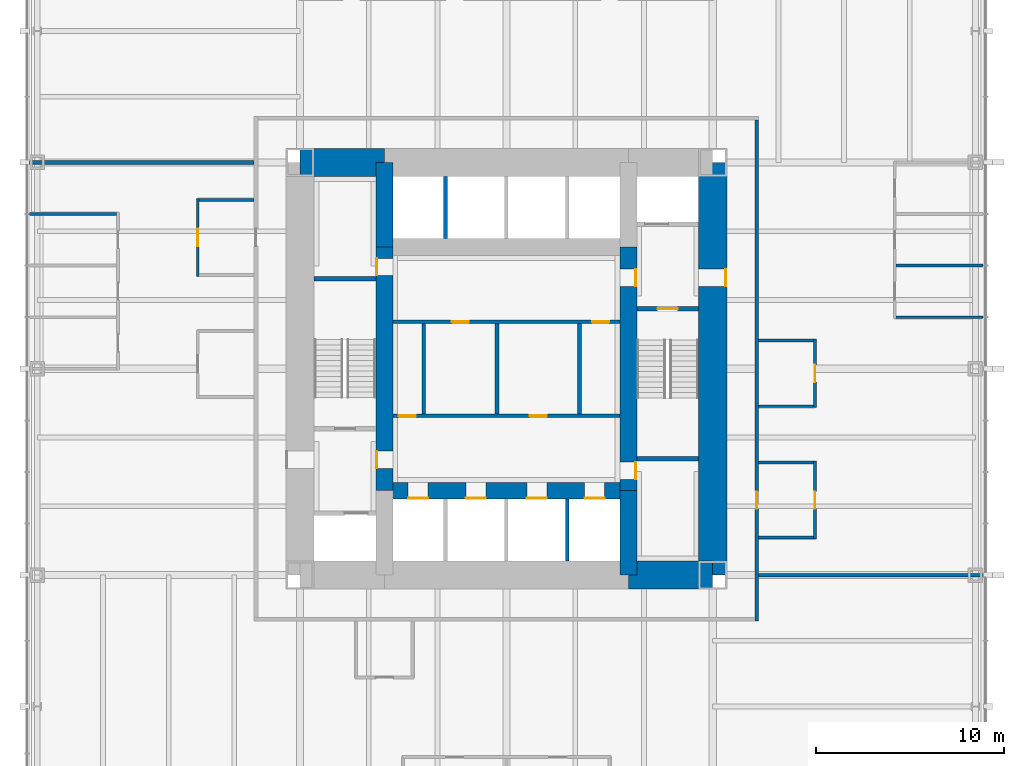
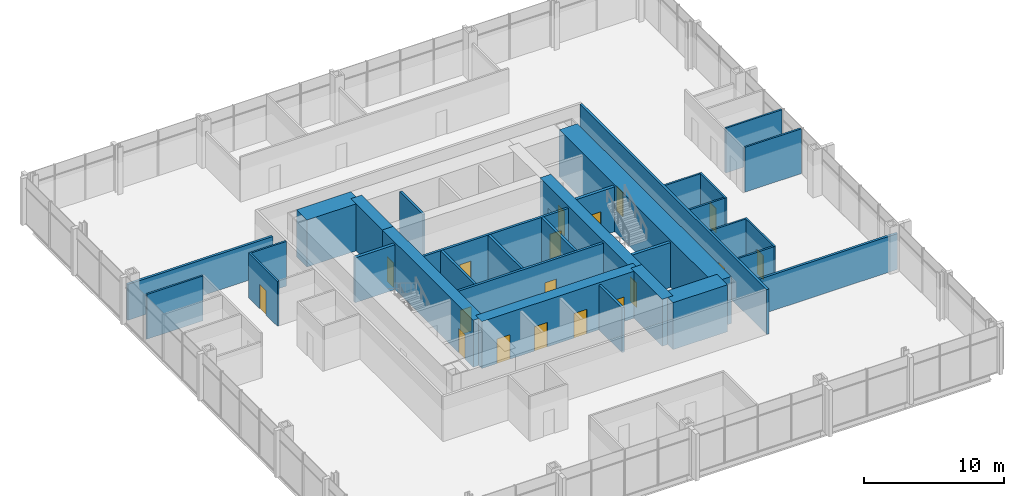
# One storey, part 10 of 12: 32 walls, 18 doors, 18 openings.
"""IFC4 building model written with IfcOpenShell, lengths in metres."""

from ifc_helpers import new_model, si_unit, direction, frame, frame_2d, origin, place, context, subcontext, project, spatial, rectangle, extrude, material, layer, layer_set, type_object, element, fill, save


model = new_model("IFC4")

# Units and contexts
model_context = context("Model", 3, precision=1e-05, world=origin(), true_north=direction((0.0, 1.0)))
body_context = subcontext(model_context, "Body", "Model", "MODEL_VIEW")
ifc_project = project(units=[si_unit("LENGTHUNIT", "METRE"), si_unit("AREAUNIT", "SQUARE_METRE"), si_unit("VOLUMEUNIT", "CUBIC_METRE"), si_unit("PLANEANGLEUNIT", "RADIAN"), si_unit("MASSUNIT", "GRAM", prefix="KILO")], contexts=[model_context])

# Site, building, storey
site_placement = place(None, origin())
site = spatial("IfcSite", under=ifc_project, at=site_placement, CompositionType="ELEMENT")
building_placement = place(site_placement, origin())
building = spatial("IfcBuilding", under=site, at=building_placement, Name="Trevanion Tower", CompositionType="ELEMENT")
storey_placement = place(building_placement, frame((0.0, 0.0, 61.10009765625)))
storey = spatial("IfcBuildingStorey", under=building, at=storey_placement, Name="L14", CompositionType="ELEMENT", Elevation=61.10009765625)

# Wall, opening, door
ifc_material_1 = material(Name="Concrete 10,000 psi", Category="concrete")
ifc_layer_1 = layer(ifc_material_1, 1.5)
ifc_layer_set_1 = layer_set([ifc_layer_1], Name="CW1 core wall 1500")
wall_type_1 = type_object("IfcWallType", Name="CW1 core wall 1500", PredefinedType="SHEAR", material=ifc_layer_set_1)
wall_1_placement = place(storey_placement, frame((11.0, -11.0, 0.0), z_axis=(0.0, 0.0, 1.0), x_axis=(0.0, 1.0, 0.0)))
wall_1 = element("IfcWall", 1, at=wall_1_placement, inside=storey, type_object=wall_type_1, Name="CW1 CE L14", PredefinedType="SHEAR", context=body_context, shape_type="SweptSolid", body=[
    extrude(rectangle(XDim=22.0, YDim=1.5, at=frame_2d((11.0, 0.0))), origin(), (0.0, 0.0, 1.0), 4.099853515625),
])
opening_1_placement = place(wall_1_placement, frame((15.392578125, 0.0, 0.0)))
opening_1 = element("IfcOpeningElement", 2, at=opening_1_placement, cuts=wall_1, Name="Opening 14-001", PredefinedType="OPENING", context=body_context, shape_type="SweptSolid", body=[
    extrude(rectangle(XDim=0.9150390625, YDim=2.134033203125, at=frame_2d((0.45751953125, 1.06689453125))), frame((0.0, 0.760009765625, 0.0), z_axis=(0.0, -1.0, 0.0), x_axis=(1.0, 0.0, 0.0)), (0.0, 0.0, 1.0), 1.52001953125),
])
ifc_material_2 = material(Name="Hollow metal, fire rated", Category="steel")
door_type_1 = type_object("IfcDoorType", Name="D3 fire lift lobby door", OperationType="SINGLE_SWING_RIGHT", PredefinedType="DOOR", material=ifc_material_2)
door_1_placement = place(opening_1_placement, origin())
door_1 = element("IfcDoor", 3, at=door_1_placement, inside=storey, type_object=door_type_1, Name="Door 14-001", OperationType="SINGLE_SWING_RIGHT", OverallHeight=2.134033203125, OverallWidth=0.9150390625, PredefinedType="DOOR", context=body_context, shape_type="SweptSolid", body=[
    extrude(rectangle(XDim=0.9150390625, YDim=2.134033203125, at=frame_2d((0.45751953125, 1.06689453125))), frame((0.0, -0.6748046875, 0.0), z_axis=(0.0, -1.0, 0.0), x_axis=(1.0, 0.0, 0.0)), (0.0, 0.0, 1.0), 0.050048828125),
])
fill(opening_1, door_1)

# Walls
for number, where, z_axis, x_axis, name in (
    (4, (-6.5, 11.0, 0.0), (0.0, 0.0, 1.0), (-1.0, 0.0, 0.0), "CW1 CN3 L14"),
    (5, (6.5, -11.0, 0.0), (0.0, 0.0, 1.0), (1.0, 0.0, 0.0), "CW1 CS3 L14"),
):
    element("IfcWall", number, at=place(storey_placement, frame(where, z_axis=z_axis, x_axis=x_axis)), inside=storey, type_object=wall_type_1, Name=name, PredefinedType="SHEAR", context=body_context, shape_type="SweptSolid", body=[
        extrude(rectangle(XDim=4.5, YDim=1.5, at=frame_2d((2.25, 0.0))), origin(), (0.0, 0.0, 1.0), 4.099853515625),
    ])
ifc_material_3 = material(Name="Concrete 10,000 psi", Category="concrete")
ifc_layer_2 = layer(ifc_material_3, 0.89990234375)
ifc_layer_set_2 = layer_set([ifc_layer_2], Name="CW2 core wall 900")
wall_type_2 = type_object("IfcWallType", Name="CW2 core wall 900", PredefinedType="SHEAR", material=ifc_layer_set_2)
wall_2_placement = place(storey_placement, frame((6.5, -11.0, 0.0), z_axis=(0.0, 0.0, 1.0), x_axis=(0.0, 1.0, 0.0)))
element("IfcWall", 6, at=wall_2_placement, inside=storey, type_object=wall_type_2, Name="CW2 RE1 L14", PredefinedType="SHEAR", context=body_context, shape_type="SweptSolid", body=[
    extrude(rectangle(XDim=4.5, YDim=0.89990234375, at=frame_2d((2.25, 0.0))), origin(), (0.0, 0.0, 1.0), 4.099853515625),
])

# Wall, openings, doors
wall_3_placement = place(storey_placement, frame((6.5, -6.5, 0.0), z_axis=(0.0, 0.0, 1.0), x_axis=(0.0, 1.0, 0.0)))
wall_3 = element("IfcWall", 7, at=wall_3_placement, inside=storey, type_object=wall_type_2, Name="CW2 RE2 L14", PredefinedType="SHEAR", context=body_context, shape_type="SweptSolid", body=[
    extrude(rectangle(XDim=13.0, YDim=0.89990234375, at=frame_2d((6.5, 0.0))), origin(), (0.0, 0.0, 1.0), 4.099853515625),
])
opening_2_placement = place(wall_3_placement, frame((10.892578125, 0.0, 0.0)))
opening_2 = element("IfcOpeningElement", 8, at=opening_2_placement, cuts=wall_3, Name="Opening 14-003", PredefinedType="OPENING", context=body_context, shape_type="SweptSolid", body=[
    extrude(rectangle(XDim=0.9150390625, YDim=2.134033203125, at=frame_2d((0.45751953125, 1.06689453125))), frame((0.0, 0.4599609375, 0.0), z_axis=(0.0, -1.0, 0.0), x_axis=(1.0, 0.0, 0.0)), (0.0, 0.0, 1.0), 0.919921875),
])
opening_3_placement = place(wall_3_placement, frame((0.610107421875, 0.0, 0.0)))
opening_3 = element("IfcOpeningElement", 9, at=opening_3_placement, cuts=wall_3, Name="Opening 14-009", PredefinedType="OPENING", context=body_context, shape_type="SweptSolid", body=[
    extrude(rectangle(XDim=0.9150390625, YDim=2.134033203125, at=frame_2d((0.45751953125, 1.06689453125))), frame((0.0, 0.4599609375, 0.0), z_axis=(0.0, -1.0, 0.0), x_axis=(1.0, 0.0, 0.0)), (0.0, 0.0, 1.0), 0.919921875),
])
door_2_placement = place(opening_2_placement, origin())
door_2 = element("IfcDoor", 10, at=door_2_placement, inside=storey, type_object=door_type_1, Name="Door 14-003", OperationType="SINGLE_SWING_RIGHT", OverallHeight=2.134033203125, OverallWidth=0.9150390625, PredefinedType="DOOR", context=body_context, shape_type="SweptSolid", body=[
    extrude(rectangle(XDim=0.9150390625, YDim=2.134033203125, at=frame_2d((0.45751953125, 1.06689453125))), frame((0.0, -0.375, 0.0), z_axis=(0.0, -1.0, 0.0), x_axis=(1.0, 0.0, 0.0)), (0.0, 0.0, 1.0), 0.050048828125),
])
fill(opening_2, door_2)
ifc_material_4 = material(Name="Hollow metal, fire rated", Category="steel")
door_type_2 = type_object("IfcDoorType", Name="D5 service room door", OperationType="SINGLE_SWING_RIGHT", PredefinedType="DOOR", material=ifc_material_4)
door_3_placement = place(opening_3_placement, origin())
door_3 = element("IfcDoor", 11, at=door_3_placement, inside=storey, type_object=door_type_2, Name="Door 14-009", OperationType="SINGLE_SWING_RIGHT", OverallHeight=2.134033203125, OverallWidth=0.9150390625, PredefinedType="DOOR", context=body_context, shape_type="SweptSolid", body=[
    extrude(rectangle(XDim=0.9150390625, YDim=2.134033203125, at=frame_2d((0.45751953125, 1.06689453125))), frame((0.0, -0.375, 0.0), z_axis=(0.0, -1.0, 0.0), x_axis=(1.0, 0.0, 0.0)), (0.0, 0.0, 1.0), 0.050048828125),
])
fill(opening_3, door_3)

# Wall
wall_4_placement = place(storey_placement, frame((-6.5, 11.0, 0.0), z_axis=(0.0, 0.0, 1.0), x_axis=(0.0, -1.0, 0.0)))
element("IfcWall", 12, at=wall_4_placement, inside=storey, type_object=wall_type_2, Name="CW2 RW1 L14", PredefinedType="SHEAR", context=body_context, shape_type="SweptSolid", body=[
    extrude(rectangle(XDim=4.5, YDim=0.89990234375, at=frame_2d((2.25, 0.0))), origin(), (0.0, 0.0, 1.0), 4.099853515625),
])

# Wall, openings, doors
wall_5_placement = place(storey_placement, frame((-6.5, 6.5, 0.0), z_axis=(0.0, 0.0, 1.0), x_axis=(0.0, -1.0, 0.0)))
wall_5 = element("IfcWall", 13, at=wall_5_placement, inside=storey, type_object=wall_type_2, Name="CW2 RW2 L14", PredefinedType="SHEAR", context=body_context, shape_type="SweptSolid", body=[
    extrude(rectangle(XDim=13.0, YDim=0.89990234375, at=frame_2d((6.5, 0.0))), origin(), (0.0, 0.0, 1.0), 4.099853515625),
])
opening_4_placement = place(wall_5_placement, frame((10.892578125, 0.0, 0.0)))
opening_4 = element("IfcOpeningElement", 14, at=opening_4_placement, cuts=wall_5, Name="Opening 14-004", PredefinedType="OPENING", context=body_context, shape_type="SweptSolid", body=[
    extrude(rectangle(XDim=0.9150390625, YDim=2.134033203125, at=frame_2d((0.45751953125, 1.06689453125))), frame((0.0, 0.4599609375, 0.0), z_axis=(0.0, -1.0, 0.0), x_axis=(1.0, 0.0, 0.0)), (0.0, 0.0, 1.0), 0.919921875),
])
opening_5_placement = place(wall_5_placement, frame((0.610107421875, 0.0, 0.0)))
opening_5 = element("IfcOpeningElement", 15, at=opening_5_placement, cuts=wall_5, Name="Opening 14-010", PredefinedType="OPENING", context=body_context, shape_type="SweptSolid", body=[
    extrude(rectangle(XDim=0.9150390625, YDim=2.134033203125, at=frame_2d((0.45751953125, 1.06689453125))), frame((0.0, 0.4599609375, 0.0), z_axis=(0.0, -1.0, 0.0), x_axis=(1.0, 0.0, 0.0)), (0.0, 0.0, 1.0), 0.919921875),
])
door_4_placement = place(opening_4_placement, origin())
door_4 = element("IfcDoor", 16, at=door_4_placement, inside=storey, type_object=door_type_1, Name="Door 14-004", OperationType="SINGLE_SWING_RIGHT", OverallHeight=2.134033203125, OverallWidth=0.9150390625, PredefinedType="DOOR", context=body_context, shape_type="SweptSolid", body=[
    extrude(rectangle(XDim=0.9150390625, YDim=2.134033203125, at=frame_2d((0.45751953125, 1.06689453125))), frame((0.0, -0.375, 0.0), z_axis=(0.0, -1.0, 0.0), x_axis=(1.0, 0.0, 0.0)), (0.0, 0.0, 1.0), 0.050048828125),
])
fill(opening_4, door_4)
door_5_placement = place(opening_5_placement, origin())
door_5 = element("IfcDoor", 17, at=door_5_placement, inside=storey, type_object=door_type_2, Name="Door 14-010", OperationType="SINGLE_SWING_RIGHT", OverallHeight=2.134033203125, OverallWidth=0.9150390625, PredefinedType="DOOR", context=body_context, shape_type="SweptSolid", body=[
    extrude(rectangle(XDim=0.9150390625, YDim=2.134033203125, at=frame_2d((0.45751953125, 1.06689453125))), frame((0.0, -0.375, 0.0), z_axis=(0.0, -1.0, 0.0), x_axis=(1.0, 0.0, 0.0)), (0.0, 0.0, 1.0), 0.050048828125),
])
fill(opening_5, door_5)

wall_6_placement = place(storey_placement, frame((-6.5, -6.5, 0.0), z_axis=(0.0, 0.0, 1.0), x_axis=(1.0, 0.0, 0.0)))
wall_6 = element("IfcWall", 18, at=wall_6_placement, inside=storey, type_object=wall_type_2, Name="CW2 RS L14", PredefinedType="SHEAR", context=body_context, shape_type="SweptSolid", body=[
    extrude(rectangle(XDim=13.0, YDim=0.89990234375, at=frame_2d((6.5, 0.0))), origin(), (0.0, 0.0, 1.0), 4.099853515625),
])
opening_6_placement = place(wall_6_placement, frame((1.2666015625, 0.0, 0.0)))
opening_6 = element("IfcOpeningElement", 19, at=opening_6_placement, cuts=wall_6, Name="Opening 14-011", PredefinedType="OPENING", context=body_context, shape_type="SweptSolid", body=[
    extrude(rectangle(XDim=1.06689453125, YDim=2.134033203125, at=frame_2d((0.533447265625, 1.06689453125))), frame((0.0, 0.4599609375, 0.0), z_axis=(0.0, -1.0, 0.0), x_axis=(1.0, 0.0, 0.0)), (0.0, 0.0, 1.0), 0.919921875),
])
opening_7_placement = place(wall_6_placement, frame((4.341552734375, 0.0, 0.0)))
opening_7 = element("IfcOpeningElement", 20, at=opening_7_placement, cuts=wall_6, Name="Opening 14-012", PredefinedType="OPENING", context=body_context, shape_type="SweptSolid", body=[
    extrude(rectangle(XDim=1.06689453125, YDim=2.134033203125, at=frame_2d((0.533447265625, 1.06689453125))), frame((0.0, 0.4599609375, 0.0), z_axis=(0.0, -1.0, 0.0), x_axis=(1.0, 0.0, 0.0)), (0.0, 0.0, 1.0), 0.919921875),
])
opening_8_placement = place(wall_6_placement, frame((7.591552734375, 0.0, 0.0)))
opening_8 = element("IfcOpeningElement", 21, at=opening_8_placement, cuts=wall_6, Name="Opening 14-013", PredefinedType="OPENING", context=body_context, shape_type="SweptSolid", body=[
    extrude(rectangle(XDim=1.06689453125, YDim=2.134033203125, at=frame_2d((0.533447265625, 1.06689453125))), frame((0.0, 0.4599609375, 0.0), z_axis=(0.0, -1.0, 0.0), x_axis=(1.0, 0.0, 0.0)), (0.0, 0.0, 1.0), 0.919921875),
])
opening_9_placement = place(wall_6_placement, frame((10.66650390625, 0.0, 0.0)))
opening_9 = element("IfcOpeningElement", 22, at=opening_9_placement, cuts=wall_6, Name="Opening 14-014", PredefinedType="OPENING", context=body_context, shape_type="SweptSolid", body=[
    extrude(rectangle(XDim=1.06689453125, YDim=2.134033203125, at=frame_2d((0.533447265625, 1.06689453125))), frame((0.0, 0.4599609375, 0.0), z_axis=(0.0, -1.0, 0.0), x_axis=(1.0, 0.0, 0.0)), (0.0, 0.0, 1.0), 0.919921875),
])
ifc_material_5 = material(Name="Stainless steel, fire rated", Category="steel")
door_type_3 = type_object("IfcDoorType", Name="LD1 lift landing door", OperationType="SLIDING_TO_LEFT", PredefinedType="DOOR", material=ifc_material_5)
door_6_placement = place(opening_6_placement, origin())
door_6 = element("IfcDoor", 23, at=door_6_placement, inside=storey, type_object=door_type_3, Name="Door 14-011", OperationType="SLIDING_TO_LEFT", OverallHeight=2.134033203125, OverallWidth=1.06689453125, PredefinedType="DOOR", context=body_context, shape_type="SweptSolid", body=[
    extrude(rectangle(XDim=1.06689453125, YDim=2.134033203125, at=frame_2d((0.533447265625, 1.06689453125))), frame((0.0, -0.375, 0.0), z_axis=(0.0, -1.0, 0.0), x_axis=(1.0, 0.0, 0.0)), (0.0, 0.0, 1.0), 0.050048828125),
])
fill(opening_6, door_6)
door_7_placement = place(opening_7_placement, origin())
door_7 = element("IfcDoor", 24, at=door_7_placement, inside=storey, type_object=door_type_3, Name="Door 14-012", OperationType="SLIDING_TO_LEFT", OverallHeight=2.134033203125, OverallWidth=1.06689453125, PredefinedType="DOOR", context=body_context, shape_type="SweptSolid", body=[
    extrude(rectangle(XDim=1.06689453125, YDim=2.134033203125, at=frame_2d((0.533447265625, 1.06689453125))), frame((0.0, -0.375, 0.0), z_axis=(0.0, -1.0, 0.0), x_axis=(1.0, 0.0, 0.0)), (0.0, 0.0, 1.0), 0.050048828125),
])
fill(opening_7, door_7)
door_8_placement = place(opening_8_placement, origin())
door_8 = element("IfcDoor", 25, at=door_8_placement, inside=storey, type_object=door_type_3, Name="Door 14-013", OperationType="SLIDING_TO_LEFT", OverallHeight=2.134033203125, OverallWidth=1.06689453125, PredefinedType="DOOR", context=body_context, shape_type="SweptSolid", body=[
    extrude(rectangle(XDim=1.06689453125, YDim=2.134033203125, at=frame_2d((0.533447265625, 1.06689453125))), frame((0.0, -0.375, 0.0), z_axis=(0.0, -1.0, 0.0), x_axis=(1.0, 0.0, 0.0)), (0.0, 0.0, 1.0), 0.050048828125),
])
fill(opening_8, door_8)
door_9_placement = place(opening_9_placement, origin())
door_9 = element("IfcDoor", 26, at=door_9_placement, inside=storey, type_object=door_type_3, Name="Door 14-014", OperationType="SLIDING_TO_LEFT", OverallHeight=2.134033203125, OverallWidth=1.06689453125, PredefinedType="DOOR", context=body_context, shape_type="SweptSolid", body=[
    extrude(rectangle(XDim=1.06689453125, YDim=2.134033203125, at=frame_2d((0.533447265625, 1.06689453125))), frame((0.0, -0.375, 0.0), z_axis=(0.0, -1.0, 0.0), x_axis=(1.0, 0.0, 0.0)), (0.0, 0.0, 1.0), 0.050048828125),
])
fill(opening_9, door_9)

# Walls
ifc_material_6 = material(Name="Gypsum board on steel studs", Category="steel")
ifc_layer_3 = layer(ifc_material_6, 0.14990234375)
ifc_layer_set_3 = layer_set([ifc_layer_3], Name="PT1 partition 150")
wall_type_3 = type_object("IfcWallType", Name="PT1 partition 150", PredefinedType="PARTITIONING", material=ifc_layer_set_3)
for number, where, z_axis, x_axis, name in (
    (27, (20.77490234375, 2.75, 0.0), (0.0, 0.0, 1.0), (1.0, 0.0, 0.0), "PT1 L14 FC0S0"),
    (28, (20.77490234375, 5.5, 0.0), (0.0, 0.0, 1.0), (1.0, 0.0, 0.0), "PT1 L14 FC0S1"),
    (29, (-20.77490234375, 8.25, 0.0), (0.0, 0.0, 1.0), (-1.0, 0.0, 0.0), "PT1 L14 FC2S0"),
):
    element("IfcWall", number, at=place(storey_placement, frame(where, z_axis=z_axis, x_axis=x_axis)), inside=storey, type_object=wall_type_3, Name=name, PredefinedType="PARTITIONING", context=body_context, shape_type="SweptSolid", body=[
        extrude(rectangle(XDim=4.64013671875, YDim=0.14990234375, at=frame_2d((2.320068359375, 0.0))), origin(), (0.0, 0.0, 1.0), 3.909912109375),
    ])

# Wall, opening, door
wall_7_placement = place(storey_placement, frame((16.449951171875, -9.074951171875, 0.0), z_axis=(0.0, 0.0, 1.0), x_axis=(0.0, 1.0, 0.0)))
wall_7 = element("IfcWall", 30, at=wall_7_placement, inside=storey, type_object=wall_type_3, Name="PT1 L14 IN00F", PredefinedType="PARTITIONING", context=body_context, shape_type="SweptSolid", body=[
    extrude(rectangle(XDim=4.14990234375, YDim=0.14990234375, at=frame_2d((2.074951171875, 0.0))), origin(), (0.0, 0.0, 1.0), 3.909912109375),
])
opening_10_placement = place(wall_7_placement, frame((1.617431640625, 0.0, 0.0)))
opening_10 = element("IfcOpeningElement", 31, at=opening_10_placement, cuts=wall_7, Name="Opening 14-030", PredefinedType="OPENING", context=body_context, shape_type="SweptSolid", body=[
    extrude(rectangle(XDim=0.9150390625, YDim=2.134033203125, at=frame_2d((0.45751953125, 1.06689453125))), frame((0.0, 0.0849609375, 0.0), z_axis=(0.0, -1.0, 0.0), x_axis=(1.0, 0.0, 0.0)), (0.0, 0.0, 1.0), 0.169921875),
])
ifc_material_7 = material(Name="Timber veneer, solid core", Category="wood")
door_type_4 = type_object("IfcDoorType", Name="D1 office and meeting room door", OperationType="SINGLE_SWING_LEFT", PredefinedType="DOOR", material=ifc_material_7)
door_10_placement = place(opening_10_placement, origin())
door_10 = element("IfcDoor", 32, at=door_10_placement, inside=storey, type_object=door_type_4, Name="Door 14-030", OperationType="SINGLE_SWING_LEFT", OverallHeight=2.134033203125, OverallWidth=0.9150390625, PredefinedType="DOOR", context=body_context, shape_type="SweptSolid", body=[
    extrude(rectangle(XDim=0.9150390625, YDim=2.134033203125, at=frame_2d((0.45751953125, 1.06689453125))), frame((0.0, 0.02490234375, 0.0), z_axis=(0.0, -1.0, 0.0), x_axis=(1.0, 0.0, 0.0)), (0.0, 0.0, 1.0), 0.050048828125),
])
fill(opening_10, door_10)

# Walls
for number, where, z_axis, x_axis, name in (
    (33, (16.375, -9.0, 0.0), (0.0, 0.0, 1.0), (-1.0, 0.0, 0.0), "PT1 L14 IN00S0"),
    (34, (16.375, -5.0, 0.0), (0.0, 0.0, 1.0), (-1.0, 0.0, 0.0), "PT1 L14 IN00S1"),
):
    element("IfcWall", number, at=place(storey_placement, frame(where, z_axis=z_axis, x_axis=x_axis)), inside=storey, type_object=wall_type_3, Name=name, PredefinedType="PARTITIONING", context=body_context, shape_type="SweptSolid", body=[
        extrude(rectangle(XDim=2.925048828125, YDim=0.14990234375, at=frame_2d((1.46240234375, 0.0))), origin(), (0.0, 0.0, 1.0), 3.909912109375),
    ])

# Wall, opening, door
wall_8_placement = place(storey_placement, frame((16.449951171875, -2.074951171875, 0.0), z_axis=(0.0, 0.0, 1.0), x_axis=(0.0, 1.0, 0.0)))
wall_8 = element("IfcWall", 35, at=wall_8_placement, inside=storey, type_object=wall_type_3, Name="PT1 L14 IN01F", PredefinedType="PARTITIONING", context=body_context, shape_type="SweptSolid", body=[
    extrude(rectangle(XDim=3.64990234375, YDim=0.14990234375, at=frame_2d((1.824951171875, 0.0))), origin(), (0.0, 0.0, 1.0), 3.909912109375),
])
opening_11_placement = place(wall_8_placement, frame((1.367431640625, 0.0, 0.0)))
opening_11 = element("IfcOpeningElement", 36, at=opening_11_placement, cuts=wall_8, Name="Opening 14-032", PredefinedType="OPENING", context=body_context, shape_type="SweptSolid", body=[
    extrude(rectangle(XDim=0.9150390625, YDim=2.134033203125, at=frame_2d((0.45751953125, 1.06689453125))), frame((0.0, 0.0849609375, 0.0), z_axis=(0.0, -1.0, 0.0), x_axis=(1.0, 0.0, 0.0)), (0.0, 0.0, 1.0), 0.169921875),
])
door_11_placement = place(opening_11_placement, origin())
door_11 = element("IfcDoor", 37, at=door_11_placement, inside=storey, type_object=door_type_4, Name="Door 14-032", OperationType="SINGLE_SWING_LEFT", OverallHeight=2.134033203125, OverallWidth=0.9150390625, PredefinedType="DOOR", context=body_context, shape_type="SweptSolid", body=[
    extrude(rectangle(XDim=0.9150390625, YDim=2.134033203125, at=frame_2d((0.45751953125, 1.06689453125))), frame((0.0, 0.02490234375, 0.0), z_axis=(0.0, -1.0, 0.0), x_axis=(1.0, 0.0, 0.0)), (0.0, 0.0, 1.0), 0.050048828125),
])
fill(opening_11, door_11)

# Walls
for number, where, z_axis, x_axis, name in (
    (38, (16.375, -2.0, 0.0), (0.0, 0.0, 1.0), (-1.0, 0.0, 0.0), "PT1 L14 IN01S0"),
    (39, (16.375, 1.5, 0.0), (0.0, 0.0, 1.0), (-1.0, 0.0, 0.0), "PT1 L14 IN01S1"),
):
    element("IfcWall", number, at=place(storey_placement, frame(where, z_axis=z_axis, x_axis=x_axis)), inside=storey, type_object=wall_type_3, Name=name, PredefinedType="PARTITIONING", context=body_context, shape_type="SweptSolid", body=[
        extrude(rectangle(XDim=2.925048828125, YDim=0.14990234375, at=frame_2d((1.46240234375, 0.0))), origin(), (0.0, 0.0, 1.0), 3.909912109375),
    ])

# Wall, opening, door
wall_9_placement = place(storey_placement, frame((-16.449951171875, 9.074951171875, 0.0), z_axis=(0.0, 0.0, 1.0), x_axis=(0.0, -1.0, 0.0)))
wall_9 = element("IfcWall", 40, at=wall_9_placement, inside=storey, type_object=wall_type_3, Name="PT1 L14 IN20F", PredefinedType="PARTITIONING", context=body_context, shape_type="SweptSolid", body=[
    extrude(rectangle(XDim=4.14990234375, YDim=0.14990234375, at=frame_2d((2.074951171875, 0.0))), origin(), (0.0, 0.0, 1.0), 3.909912109375),
])
opening_12_placement = place(wall_9_placement, frame((1.617431640625, 0.0, 0.0)))
opening_12 = element("IfcOpeningElement", 41, at=opening_12_placement, cuts=wall_9, Name="Opening 14-033", PredefinedType="OPENING", context=body_context, shape_type="SweptSolid", body=[
    extrude(rectangle(XDim=0.9150390625, YDim=2.134033203125, at=frame_2d((0.45751953125, 1.06689453125))), frame((0.0, 0.0849609375, 0.0), z_axis=(0.0, -1.0, 0.0), x_axis=(1.0, 0.0, 0.0)), (0.0, 0.0, 1.0), 0.169921875),
])
door_12_placement = place(opening_12_placement, origin())
door_12 = element("IfcDoor", 42, at=door_12_placement, inside=storey, type_object=door_type_4, Name="Door 14-033", OperationType="SINGLE_SWING_LEFT", OverallHeight=2.134033203125, OverallWidth=0.9150390625, PredefinedType="DOOR", context=body_context, shape_type="SweptSolid", body=[
    extrude(rectangle(XDim=0.9150390625, YDim=2.134033203125, at=frame_2d((0.45751953125, 1.06689453125))), frame((0.0, 0.02490234375, 0.0), z_axis=(0.0, -1.0, 0.0), x_axis=(1.0, 0.0, 0.0)), (0.0, 0.0, 1.0), 0.050048828125),
])
fill(opening_12, door_12)

# Walls
wall_10_placement = place(storey_placement, frame((-16.375, 9.0, 0.0), z_axis=(0.0, 0.0, 1.0), x_axis=(1.0, 0.0, 0.0)))
element("IfcWall", 43, at=wall_10_placement, inside=storey, type_object=wall_type_3, Name="PT1 L14 IN20S0", PredefinedType="PARTITIONING", context=body_context, shape_type="SweptSolid", body=[
    extrude(rectangle(XDim=2.925048828125, YDim=0.14990234375, at=frame_2d((1.46240234375, 0.0))), origin(), (0.0, 0.0, 1.0), 3.909912109375),
])
ifc_material_8 = material(Name="Concrete masonry, grouted", Category="masonry")
ifc_layer_4 = layer(ifc_material_8, 0.199951171875)
ifc_layer_set_4 = layer_set([ifc_layer_4], Name="PT2 partition 200")
wall_type_4 = type_object("IfcWallType", Name="PT2 partition 200", PredefinedType="PARTITIONING", material=ifc_layer_set_4)
for number, where, z_axis, x_axis, name in (
    (44, (-4.39990234375, -2.39990234375, 0.0), (0.0, 0.0, 1.0), (0.0, 1.0, 0.0), "PT2 L14 TP1"),
    (45, (-0.5, -2.39990234375, 0.0), (0.0, 0.0, 1.0), (0.0, 1.0, 0.0), "PT2 L14 TP2"),
    (46, (3.89990234375, -2.39990234375, 0.0), (0.0, 0.0, 1.0), (0.0, 1.0, 0.0), "PT2 L14 TP3"),
):
    element("IfcWall", number, at=place(storey_placement, frame(where, z_axis=z_axis, x_axis=x_axis)), inside=storey, type_object=wall_type_4, Name=name, PredefinedType="PARTITIONING", context=body_context, shape_type="SweptSolid", body=[
        extrude(rectangle(XDim=4.7998046875, YDim=0.199951171875, at=frame_2d((2.39990234375, 0.0))), origin(), (0.0, 0.0, 1.0), 3.909912109375),
    ])

# Wall, openings, doors
ifc_material_9 = material(Name="Concrete masonry, grouted", Category="masonry")
ifc_layer_5 = layer(ifc_material_9, 0.199951171875)
ifc_layer_set_5 = layer_set([ifc_layer_5], Name="PT2 partition 200 1 HR")
wall_type_5 = type_object("IfcWallType", Name="PT2 partition 200 1 HR", PredefinedType="PARTITIONING", material=ifc_layer_set_5)
wall_11_placement = place(storey_placement, frame((-6.050048828125, 2.5, 0.0), z_axis=(0.0, 0.0, 1.0), x_axis=(1.0, 0.0, 0.0)))
wall_11 = element("IfcWall", 47, at=wall_11_placement, inside=storey, type_object=wall_type_5, Name="PT2 L14 CP1", PredefinedType="PARTITIONING", context=body_context, shape_type="SweptSolid", body=[
    extrude(rectangle(XDim=12.10009765625, YDim=0.199951171875, at=frame_2d((6.050048828125, 0.0))), origin(), (0.0, 0.0, 1.0), 3.909912109375),
])
opening_13_placement = place(wall_11_placement, frame((3.142578125, 0.0, 0.0)))
opening_13 = element("IfcOpeningElement", 48, at=opening_13_placement, cuts=wall_11, Name="Opening 14-016", PredefinedType="OPENING", context=body_context, shape_type="SweptSolid", body=[
    extrude(rectangle(XDim=0.9150390625, YDim=2.134033203125, at=frame_2d((0.45751953125, 1.06689453125))), frame((0.0, 0.10986328125, 0.0), z_axis=(0.0, -1.0, 0.0), x_axis=(1.0, 0.0, 0.0)), (0.0, 0.0, 1.0), 0.219970703125),
])
opening_14_placement = place(wall_11_placement, frame((10.617431640625, 0.0, 0.0)))
opening_14 = element("IfcOpeningElement", 49, at=opening_14_placement, cuts=wall_11, Name="Opening 14-018", PredefinedType="OPENING", context=body_context, shape_type="SweptSolid", body=[
    extrude(rectangle(XDim=0.9150390625, YDim=2.134033203125, at=frame_2d((0.45751953125, 1.06689453125))), frame((0.0, 0.10986328125, 0.0), z_axis=(0.0, -1.0, 0.0), x_axis=(1.0, 0.0, 0.0)), (0.0, 0.0, 1.0), 0.219970703125),
])
ifc_material_10 = material(Name="Plastic laminate on fire-rated core", Category="wood")
door_type_5 = type_object("IfcDoorType", Name="D12 toilet door in a one hour wall", OperationType="SINGLE_SWING_LEFT", PredefinedType="DOOR", material=ifc_material_10)
door_13_placement = place(opening_13_placement, origin())
door_13 = element("IfcDoor", 50, at=door_13_placement, inside=storey, type_object=door_type_5, Name="Door 14-016", OperationType="SINGLE_SWING_LEFT", OverallHeight=2.134033203125, OverallWidth=0.9150390625, PredefinedType="DOOR", context=body_context, shape_type="SweptSolid", body=[
    extrude(rectangle(XDim=0.9150390625, YDim=2.134033203125, at=frame_2d((0.45751953125, 1.06689453125))), frame((0.0, 0.02490234375, 0.0), z_axis=(0.0, -1.0, 0.0), x_axis=(1.0, 0.0, 0.0)), (0.0, 0.0, 1.0), 0.050048828125),
])
fill(opening_13, door_13)
door_14_placement = place(opening_14_placement, origin())
door_14 = element("IfcDoor", 51, at=door_14_placement, inside=storey, type_object=door_type_5, Name="Door 14-018", OperationType="SINGLE_SWING_LEFT", OverallHeight=2.134033203125, OverallWidth=0.9150390625, PredefinedType="DOOR", context=body_context, shape_type="SweptSolid", body=[
    extrude(rectangle(XDim=0.9150390625, YDim=2.134033203125, at=frame_2d((0.45751953125, 1.06689453125))), frame((0.0, 0.02490234375, 0.0), z_axis=(0.0, -1.0, 0.0), x_axis=(1.0, 0.0, 0.0)), (0.0, 0.0, 1.0), 0.050048828125),
])
fill(opening_14, door_14)

wall_12_placement = place(storey_placement, frame((6.050048828125, -2.5, 0.0), z_axis=(0.0, 0.0, 1.0), x_axis=(-1.0, 0.0, 0.0)))
wall_12 = element("IfcWall", 52, at=wall_12_placement, inside=storey, type_object=wall_type_5, Name="PT2 L14 CP2", PredefinedType="PARTITIONING", context=body_context, shape_type="SweptSolid", body=[
    extrude(rectangle(XDim=12.10009765625, YDim=0.199951171875, at=frame_2d((6.050048828125, 0.0))), origin(), (0.0, 0.0, 1.0), 3.909912109375),
])
opening_15_placement = place(wall_12_placement, frame((10.867431640625, 0.0, 0.0)))
opening_15 = element("IfcOpeningElement", 53, at=opening_15_placement, cuts=wall_12, Name="Opening 14-015", PredefinedType="OPENING", context=body_context, shape_type="SweptSolid", body=[
    extrude(rectangle(XDim=0.9150390625, YDim=2.134033203125, at=frame_2d((0.45751953125, 1.06689453125))), frame((0.0, 0.10986328125, 0.0), z_axis=(0.0, -1.0, 0.0), x_axis=(1.0, 0.0, 0.0)), (0.0, 0.0, 1.0), 0.219970703125),
])
opening_16_placement = place(wall_12_placement, frame((3.892578125, 0.0, 0.0)))
opening_16 = element("IfcOpeningElement", 54, at=opening_16_placement, cuts=wall_12, Name="Opening 14-017", PredefinedType="OPENING", context=body_context, shape_type="SweptSolid", body=[
    extrude(rectangle(XDim=0.9150390625, YDim=2.134033203125, at=frame_2d((0.45751953125, 1.06689453125))), frame((0.0, 0.10986328125, 0.0), z_axis=(0.0, -1.0, 0.0), x_axis=(1.0, 0.0, 0.0)), (0.0, 0.0, 1.0), 0.219970703125),
])
door_15_placement = place(opening_16_placement, origin())
door_15 = element("IfcDoor", 55, at=door_15_placement, inside=storey, type_object=door_type_5, Name="Door 14-017", OperationType="SINGLE_SWING_LEFT", OverallHeight=2.134033203125, OverallWidth=0.9150390625, PredefinedType="DOOR", context=body_context, shape_type="SweptSolid", body=[
    extrude(rectangle(XDim=0.9150390625, YDim=2.134033203125, at=frame_2d((0.45751953125, 1.06689453125))), frame((0.0, 0.02490234375, 0.0), z_axis=(0.0, -1.0, 0.0), x_axis=(1.0, 0.0, 0.0)), (0.0, 0.0, 1.0), 0.050048828125),
])
fill(opening_16, door_15)
door_16_placement = place(opening_15_placement, origin())
door_16 = element("IfcDoor", 56, at=door_16_placement, inside=storey, type_object=door_type_2, Name="Door 14-015", OperationType="SINGLE_SWING_RIGHT", OverallHeight=2.134033203125, OverallWidth=0.9150390625, PredefinedType="DOOR", context=body_context, shape_type="SweptSolid", body=[
    extrude(rectangle(XDim=0.9150390625, YDim=2.134033203125, at=frame_2d((0.45751953125, 1.06689453125))), frame((0.0, 0.02490234375, 0.0), z_axis=(0.0, -1.0, 0.0), x_axis=(1.0, 0.0, 0.0)), (0.0, 0.0, 1.0), 0.050048828125),
])
fill(opening_15, door_16)

# Wall, opening, door
wall_13_placement = place(storey_placement, frame((13.35009765625, -13.449951171875, 0.0), z_axis=(0.0, 0.0, 1.0), x_axis=(0.0, 1.0, 0.0)))
wall_13 = element("IfcWall", 57, at=wall_13_placement, inside=storey, type_object=wall_type_5, Name="PT2 L14 OC0", PredefinedType="PARTITIONING", context=body_context, shape_type="SweptSolid", body=[
    extrude(rectangle(XDim=26.699951171875, YDim=0.199951171875, at=frame_2d((13.35009765625, 0.0))), origin(), (0.0, 0.0, 1.0), 3.909912109375),
])
opening_17_placement = place(wall_13_placement, frame((5.992431640625, 0.0, 0.0)))
opening_17 = element("IfcOpeningElement", 58, at=opening_17_placement, cuts=wall_13, Name="Opening 14-031", PredefinedType="OPENING", context=body_context, shape_type="SweptSolid", body=[
    extrude(rectangle(XDim=0.9150390625, YDim=2.134033203125, at=frame_2d((0.45751953125, 1.06689453125))), frame((0.0, 0.10986328125, 0.0), z_axis=(0.0, -1.0, 0.0), x_axis=(1.0, 0.0, 0.0)), (0.0, 0.0, 1.0), 0.219970703125),
])
ifc_material_11 = material(Name="Timber veneer, fire rated", Category="wood")
door_type_6 = type_object("IfcDoorType", Name="D10 office door in a one hour wall", OperationType="SINGLE_SWING_LEFT", PredefinedType="DOOR", material=ifc_material_11)
door_17_placement = place(opening_17_placement, origin())
door_17 = element("IfcDoor", 59, at=door_17_placement, inside=storey, type_object=door_type_6, Name="Door 14-031", OperationType="SINGLE_SWING_LEFT", OverallHeight=2.134033203125, OverallWidth=0.9150390625, PredefinedType="DOOR", context=body_context, shape_type="SweptSolid", body=[
    extrude(rectangle(XDim=0.9150390625, YDim=2.134033203125, at=frame_2d((0.45751953125, 1.06689453125))), frame((0.0, 0.02490234375, 0.0), z_axis=(0.0, -1.0, 0.0), x_axis=(1.0, 0.0, 0.0)), (0.0, 0.0, 1.0), 0.050048828125),
])
fill(opening_17, door_17)

# Walls
for number, where, z_axis, x_axis, name in (
    (60, (-13.449951171875, 11.0, 0.0), (0.0, 0.0, 1.0), (-1.0, 0.0, 0.0), "PT2 L14 DM1"),
    (61, (13.449951171875, -11.0, 0.0), (0.0, 0.0, 1.0), (1.0, 0.0, 0.0), "PT2 L14 DM3"),
):
    element("IfcWall", number, at=place(storey_placement, frame(where, z_axis=z_axis, x_axis=x_axis)), inside=storey, type_object=wall_type_5, Name=name, PredefinedType="PARTITIONING", context=body_context, shape_type="SweptSolid", body=[
        extrude(rectangle(XDim=11.965087890625, YDim=0.199951171875, at=frame_2d((5.982421875, 0.0))), origin(), (0.0, 0.0, 1.0), 3.130126953125),
    ])
ifc_material_12 = material(Name="Concrete masonry, grouted", Category="masonry")
ifc_layer_6 = layer(ifc_material_12, 0.199951171875)
ifc_layer_set_6 = layer_set([ifc_layer_6], Name="PT2 partition 200 2 HR")
wall_type_6 = type_object("IfcWallType", Name="PT2 partition 200 2 HR", PredefinedType="PARTITIONING", material=ifc_layer_set_6)
for number, where, z_axis, x_axis, name in (
    (62, (-3.25, 6.949951171875, 0.0), (0.0, 0.0, 1.0), (0.0, 1.0, 0.0), "PT2 L14 NS0"),
    (63, (3.25, -10.25, 0.0), (0.0, 0.0, 1.0), (0.0, 1.0, 0.0), "PT2 L14 SS2"),
):
    element("IfcWall", number, at=place(storey_placement, frame(where, z_axis=z_axis, x_axis=x_axis)), inside=storey, type_object=wall_type_6, Name=name, PredefinedType="PARTITIONING", context=body_context, shape_type="SweptSolid", body=[
        extrude(rectangle(XDim=3.300048828125, YDim=0.199951171875, at=frame_2d((1.64990234375, 0.0))), origin(), (0.0, 0.0, 1.0), 3.909912109375),
    ])
ifc_material_13 = material(Name="Reinforced masonry, fully grouted", Category="masonry")
ifc_layer_7 = layer(ifc_material_13, 0.25)
ifc_layer_set_7 = layer_set([ifc_layer_7], Name="SW1 stair shaft wall 250")
wall_type_7 = type_object("IfcWallType", Name="SW1 stair shaft wall 250", PredefinedType="SOLIDWALL", material=ifc_layer_set_7)
for number, where, z_axis, x_axis, name in (
    (64, (6.949951171875, -4.800048828125, 0.0), (0.0, 0.0, 1.0), (1.0, 0.0, 0.0), "SW1 L14 EP1"),
    (65, (-6.949951171875, 4.800048828125, 0.0), (0.0, 0.0, 1.0), (-1.0, 0.0, 0.0), "SW1 L14 WP1"),
):
    element("IfcWall", number, at=place(storey_placement, frame(where, z_axis=z_axis, x_axis=x_axis)), inside=storey, type_object=wall_type_7, Name=name, PredefinedType="SOLIDWALL", context=body_context, shape_type="SweptSolid", body=[
        extrude(rectangle(XDim=3.300048828125, YDim=0.25, at=frame_2d((1.64990234375, 0.0))), origin(), (0.0, 0.0, 1.0), 3.909912109375),
    ])

# Wall, opening, door
wall_14_placement = place(storey_placement, frame((6.949951171875, 3.199951171875, 0.0), z_axis=(0.0, 0.0, 1.0), x_axis=(1.0, 0.0, 0.0)))
wall_14 = element("IfcWall", 66, at=wall_14_placement, inside=storey, type_object=wall_type_7, Name="SW1 L14 EP2", PredefinedType="SOLIDWALL", context=body_context, shape_type="SweptSolid", body=[
    extrude(rectangle(XDim=3.300048828125, YDim=0.25, at=frame_2d((1.64990234375, 0.0))), origin(), (0.0, 0.0, 1.0), 3.909912109375),
])
opening_18_placement = place(wall_14_placement, frame((1.116455078125, 0.0, 0.0)))
opening_18 = element("IfcOpeningElement", 67, at=opening_18_placement, cuts=wall_14, Name="Opening 14-005", PredefinedType="OPENING", context=body_context, shape_type="SweptSolid", body=[
    extrude(rectangle(XDim=1.06689453125, YDim=2.134033203125, at=frame_2d((0.533447265625, 1.06689453125))), frame((0.0, 0.135009765625, 0.0), z_axis=(0.0, -1.0, 0.0), x_axis=(1.0, 0.0, 0.0)), (0.0, 0.0, 1.0), 0.27001953125),
])
ifc_material_14 = material(Name="Hollow metal, fire rated", Category="steel")
door_type_7 = type_object("IfcDoorType", Name="D2 exit stair door", OperationType="SINGLE_SWING_LEFT", PredefinedType="DOOR", material=ifc_material_14)
door_18_placement = place(opening_18_placement, origin())
door_18 = element("IfcDoor", 68, at=door_18_placement, inside=storey, type_object=door_type_7, Name="Door 14-005", OperationType="SINGLE_SWING_LEFT", OverallHeight=2.134033203125, OverallWidth=1.06689453125, PredefinedType="DOOR", context=body_context, shape_type="SweptSolid", body=[
    extrude(rectangle(XDim=1.06689453125, YDim=2.134033203125, at=frame_2d((0.533447265625, 1.06689453125))), frame((0.0, 0.02490234375, 0.0), z_axis=(0.0, -1.0, 0.0), x_axis=(1.0, 0.0, 0.0)), (0.0, 0.0, 1.0), 0.050048828125),
])
fill(opening_18, door_18)

save(model, "model.ifc")
